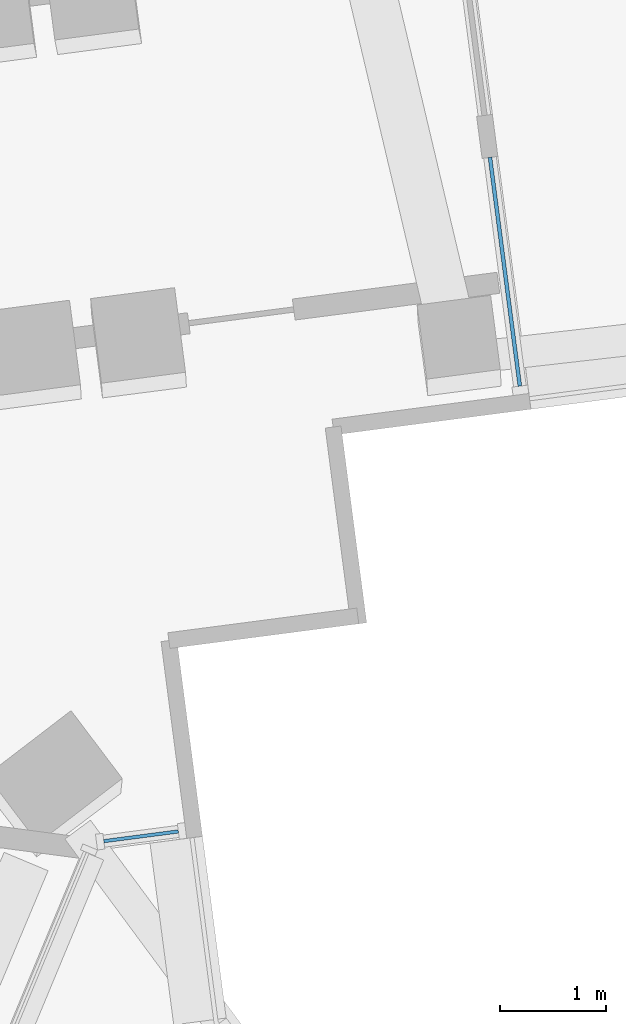
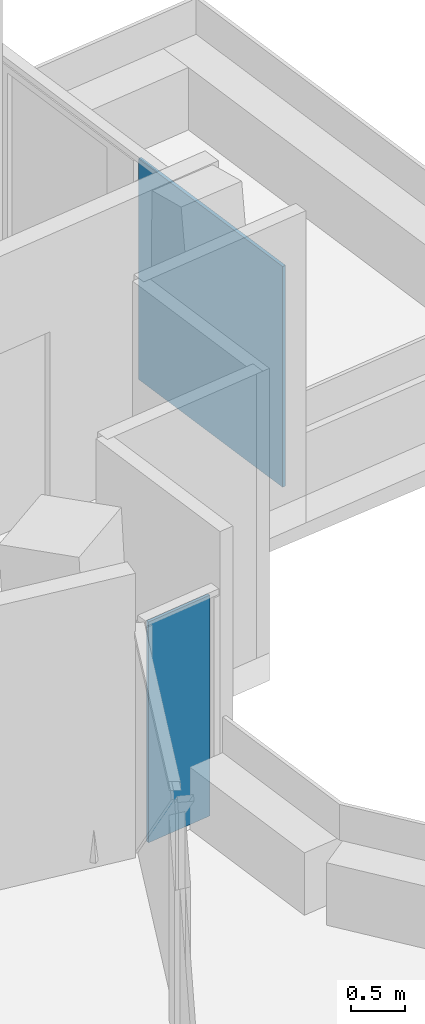
# One storey, part 14 of 25: 2 plates, 2 elements without a shape of their own.
"""IFC4 building model written with IfcOpenShell, lengths in metres."""

import ifcopenshell
import ifcopenshell.guid

model = None  # the IFC model being written
_history = None  # IfcOwnerHistory: only IFC2X3 demands one
_inside = {}  # id of a spatial element -> (the spatial element, [elements in it])
_under = {}  # id of a project, library or spatial element -> (it, [spatial elements below it])
_declared = {}  # id of a project -> (the project, [libraries it declares])
_typed = {}  # id of a type object -> (the type object, [elements of that type])
_made_of = {}  # id of a material, layer set ... -> (it, [elements and type objects made of it])


def new_model(schema):
    """Start an empty IFC model of exactly this schema.

    Asked for "IFC4X3", IfcOpenShell would pick the latest addendum, in which some entities
    have other attributes; the version numbers below select the first issue.
    IFC2X3 requires an IfcOwnerHistory on every rooted entity: one is made here for all.
    """
    global model, _history
    if schema == "IFC4X3":
        model = ifcopenshell.file(schema_version=(4, 3, 0, 0))
    else:
        model = ifcopenshell.file(schema=schema)
    _inside.clear()
    _under.clear()
    _declared.clear()
    _typed.clear()
    _made_of.clear()
    _history = None
    if model.schema == "IFC2X3":
        org = make("IfcOrganization", Name="unknown")
        user = make(
            "IfcPersonAndOrganization",
            ThePerson=make("IfcPerson", FamilyName="unknown"),
            TheOrganization=org,
        )
        app = make(
            "IfcApplication",
            ApplicationDeveloper=org,
            Version="unknown",
            ApplicationFullName="unknown",
            ApplicationIdentifier="unknown",
        )
        _history = make(
            "IfcOwnerHistory",
            OwningUser=user,
            OwningApplication=app,
            ChangeAction="ADDED",
            CreationDate=0,
        )
    return model


def make(cls, **values):
    """One entity of the class cls with the attributes given. An attribute that is None is left unset."""
    return model.create_entity(
        cls, **{name: value for name, value in values.items() if value is not None}
    )


def rooted(cls, **values):
    """An entity with a GlobalId (a new one), such as an element, a storey or a relation."""
    return make(cls, GlobalId=ifcopenshell.guid.new(), OwnerHistory=_history, **values)


def si_unit(unit_type, name, prefix=None):
    """IfcSIUnit, for example si_unit("LENGTHUNIT", "METRE", prefix="MILLI")."""
    return make("IfcSIUnit", UnitType=unit_type, Prefix=prefix, Name=name)


def assignment(units):
    """IfcUnitAssignment: the units of a project."""
    return None if units is None else make("IfcUnitAssignment", Units=units)


def point(xyz):
    """IfcCartesianPoint."""
    return None if xyz is None else make("IfcCartesianPoint", Coordinates=xyz)


def direction(xyz):
    """IfcDirection."""
    return None if xyz is None else make("IfcDirection", DirectionRatios=xyz)


def frame(location, z_axis=None, x_axis=None):
    """IfcAxis2Placement3D, a coordinate frame: its origin and axes. An axis left out is left unset."""
    return make(
        "IfcAxis2Placement3D",
        Location=point(location),
        Axis=direction(z_axis),
        RefDirection=direction(x_axis),
    )


def frame_2d(location, x_axis=None):
    """IfcAxis2Placement2D, a coordinate frame in the plane: its origin and x axis."""
    return make(
        "IfcAxis2Placement2D", Location=point(location), RefDirection=direction(x_axis)
    )


def origin():
    """The frame at (0, 0, 0) with its axes left unset."""
    return frame((0.0, 0.0, 0.0))


def origin_2d():
    """The frame at (0, 0) in the plane with its x axis left unset."""
    return frame_2d((0.0, 0.0))


def place(relative_to, where):
    """IfcLocalPlacement: puts the frame where relative to a parent placement (None: the world)."""
    return make(
        "IfcLocalPlacement", PlacementRelTo=relative_to, RelativePlacement=where
    )


def context(
    kind, dimensions, precision=None, world=None, true_north=None, identifier=None
):
    """IfcGeometricRepresentationContext, for example the 3D "Model" context."""
    return make(
        "IfcGeometricRepresentationContext",
        ContextIdentifier=identifier,
        ContextType=kind,
        CoordinateSpaceDimension=dimensions,
        Precision=precision,
        WorldCoordinateSystem=world,
        TrueNorth=true_north,
    )


def subcontext(parent, identifier, kind, view, scale=None):
    """IfcGeometricRepresentationSubContext, for example "Body" below "Model"."""
    return make(
        "IfcGeometricRepresentationSubContext",
        ContextIdentifier=identifier,
        ContextType=kind,
        ParentContext=parent,
        TargetScale=scale,
        TargetView=view,
    )


def project(units=None, contexts=None):
    """IfcProject with its units and contexts."""
    return rooted(
        "IfcProject",
        Name="project",
        RepresentationContexts=contexts,
        UnitsInContext=assignment(units),
    )


def spatial(cls, under=None, at=None, **own):
    """A site, building, storey or space (cls), placed at a placement, below another one or the project."""
    s = rooted(cls, ObjectPlacement=at, **own)
    if under is not None:
        _under.setdefault(under.id(), (under, []))[1].append(s)
    return s


def profile(cls, at=None, kind="AREA", **sizes):
    """A parametric profile (cls). Its sizes go by their IFC names, for example OverallWidth=200.0."""
    return make(cls, ProfileType=kind, Position=at, **sizes)


def rectangle(**sizes):
    """IfcRectangleProfileDef."""
    return profile("IfcRectangleProfileDef", **sizes)


def extrude(swept, where, along, depth):
    """IfcExtrudedAreaSolid: the profile swept, set in the frame where, extruded along a direction by depth."""
    return make(
        "IfcExtrudedAreaSolid",
        SweptArea=swept,
        Position=where,
        ExtrudedDirection=direction(along),
        Depth=depth,
    )


def shape(context_of_items, identifier, shape_type, items):
    """IfcShapeRepresentation: the items that make up one representation, for example the "Body"."""
    return make(
        "IfcShapeRepresentation",
        ContextOfItems=context_of_items,
        RepresentationIdentifier=identifier,
        RepresentationType=shape_type,
        Items=items,
    )


def material(Name=None, Category=None):
    """IfcMaterial."""
    return make("IfcMaterial", Name=Name, Category=Category)


def layer(
    of_material, thickness, ventilated=None, Name=None, Category=None, Priority=None
):
    """IfcMaterialLayer: one layer of a wall or slab, of a material (None: an air gap)."""
    return make(
        "IfcMaterialLayer",
        Material=of_material,
        LayerThickness=thickness,
        IsVentilated=ventilated,
        Name=Name,
        Category=Category,
        Priority=Priority,
    )


def layer_set(layers, Name=None):
    """IfcMaterialLayerSet."""
    return make("IfcMaterialLayerSet", MaterialLayers=layers, LayerSetName=Name)


def made_of(thing, what):
    """Note that an element or type object is made of a material, layer set ...; save() writes the relation."""
    if what is not None:
        _made_of.setdefault(what.id(), (what, []))[1].append(thing)
    return thing


def type_object(cls, material=None, **own):
    """A type object (cls), such as IfcWallType, which elements share."""
    return made_of(rooted(cls, **own), material)


def element(
    cls,
    number,
    at=None,
    inside=None,
    cuts=None,
    type_object=None,
    material=None,
    context=None,
    identifier="Body",
    shape_type=None,
    held_by="IfcProductDefinitionShape",
    body=None,
    shapes=None,
    **own,
):
    """One element of the class cls, such as IfcWall. Its Tag is "e" and its number.

    at: its placement. inside: the storey or other place that contains it. cuts: it is an
    opening in that element (IfcRelVoidsElement). A single representation is given by context,
    identifier, shape_type and body (its items); several are given by shapes. held_by: the class
    of the entity that holds the representations. save() writes the other relations.
    """
    e = rooted(cls, Tag="e%d" % number, ObjectPlacement=at, **own)
    if body is not None:
        shapes = [shape(context, identifier, shape_type, body)]
    if shapes is not None:
        e.Representation = make(held_by, Representations=shapes)
    if inside is not None:
        _inside.setdefault(inside.id(), (inside, []))[1].append(e)
    if cuts is not None:
        rooted(
            "IfcRelVoidsElement", RelatingBuildingElement=cuts, RelatedOpeningElement=e
        )
    if type_object is not None:
        _typed.setdefault(type_object.id(), (type_object, []))[1].append(e)
    return made_of(e, material)


def aggregate(whole, parts):
    """IfcRelAggregates: a whole, such as a stair, and the parts it consists of."""
    return rooted("IfcRelAggregates", RelatingObject=whole, RelatedObjects=parts)


def save(model, path):
    """Write the relations noted so far, then the file.

    IfcRelAggregates (storeys below a building ...), IfcRelContainedInSpatialStructure (elements
    in a storey), IfcRelDefinesByType, IfcRelAssociatesMaterial and IfcRelDeclares: one each for
    every whole, place, type object, material and project.
    """
    for whole, parts in _under.values():
        aggregate(whole, parts)
    for where, things in _inside.values():
        rooted(
            "IfcRelContainedInSpatialStructure",
            RelatedElements=things,
            RelatingStructure=where,
        )
    for kind, things in _typed.values():
        rooted("IfcRelDefinesByType", RelatedObjects=things, RelatingType=kind)
    for what, things in _made_of.values():
        rooted("IfcRelAssociatesMaterial", RelatedObjects=things, RelatingMaterial=what)
    for by, libraries in _declared.values():
        rooted("IfcRelDeclares", RelatingContext=by, RelatedDefinitions=libraries)
    model.write(path)


model = new_model("IFC4")

# Units and contexts
model_context = context("Model", 3, precision=1e-05, world=origin(), true_north=direction((0.0, 1.0)))
body_context = subcontext(model_context, "Body", "Model", "MODEL_VIEW")
ifc_project = project(units=[si_unit("LENGTHUNIT", "METRE"), si_unit("AREAUNIT", "SQUARE_METRE"), si_unit("VOLUMEUNIT", "CUBIC_METRE"), si_unit("PLANEANGLEUNIT", "RADIAN"), si_unit("MASSUNIT", "GRAM", prefix="KILO")], contexts=[model_context])

# Site, building, storey
site_placement = place(None, origin())
site = spatial("IfcSite", under=ifc_project, at=site_placement, CompositionType="ELEMENT")
building_placement = place(site_placement, origin())
building = spatial("IfcBuilding", under=site, at=building_placement, Name="Verdalira Terraces Hotel", CompositionType="ELEMENT")
storey_placement = place(building_placement, frame((0.0, 0.0, 187.0)))
storey = spatial("IfcBuildingStorey", under=building, at=storey_placement, Name="L45", CompositionType="ELEMENT", Elevation=187.0)

# Curtain wall, plate
ifc_material_1 = material(Name="Clear glass", Category="glass")
ifc_layer_1 = layer(ifc_material_1, 0.14990234375)
ifc_layer_set_1 = layer_set([ifc_layer_1], Name="CW2 curtain wall")
curtain_wall_type_1 = type_object("IfcCurtainWallType", Name="CW2 curtain wall", PredefinedType="NOTDEFINED", material=ifc_layer_set_1)
curtain_wall_1_placement = place(storey_placement, origin())
curtain_wall_1 = element("IfcCurtainWall", 1, at=curtain_wall_1_placement, inside=storey, type_object=curtain_wall_type_1, Name="CW2 curtain wall L45 edge 28", PredefinedType="NOTDEFINED")
ifc_material_2 = material(Name="Clear glass", Category="glass")
ifc_layer_2 = layer(ifc_material_2, 0.031982421875)
ifc_layer_set_2 = layer_set([ifc_layer_2], Name="CW2 glass unit 32")
plate_type_1 = type_object("IfcPlateType", Name="CW2 glass unit 32", PredefinedType="CURTAIN_PANEL", material=ifc_layer_set_2)
plate_1_placement = place(storey_placement, frame((25.307373, -3.174805, 0.0), z_axis=(0.0, 0.0, 1.0), x_axis=(0.991581004, 0.129487882, 0.0)))
plate_1 = element("IfcPlate", 2, at=plate_1_placement, type_object=plate_type_1, Name="CW2 glass unit", PredefinedType="CURTAIN_PANEL", context=body_context, shape_type="SweptSolid", body=[
    extrude(rectangle(XDim=0.709961, YDim=0.031982, at=origin_2d()), origin(), (0.0, 0.0, 1.0), 2.475098),
])
aggregate(curtain_wall_1, [plate_1])

ifc_material_3 = material(Name="Clear glass", Category="glass")
ifc_layer_3 = layer(ifc_material_3, 0.14990234375)
ifc_layer_set_3 = layer_set([ifc_layer_3], Name="CW3 curtain wall")
curtain_wall_type_2 = type_object("IfcCurtainWallType", Name="CW3 curtain wall", PredefinedType="NOTDEFINED", material=ifc_layer_set_3)
curtain_wall_2_placement = place(storey_placement, origin())
curtain_wall_2 = element("IfcCurtainWall", 3, at=curtain_wall_2_placement, inside=storey, type_object=curtain_wall_type_2, Name="CW3 curtain wall L45 edge 33", PredefinedType="NOTDEFINED")
ifc_material_4 = material(Name="Clear glass", Category="glass")
ifc_layer_4 = layer(ifc_material_4, 0.035888671875)
ifc_layer_set_4 = layer_set([ifc_layer_4], Name="CW3 glass unit 36")
plate_type_2 = type_object("IfcPlateType", Name="CW3 glass unit 36", PredefinedType="CURTAIN_PANEL", material=ifc_layer_set_4)
plate_2_placement = place(storey_placement, frame((28.745605, 2.1604, 0.0), z_axis=(0.0, 0.0, 1.0), x_axis=(-0.129487882, 0.991581004, 0.0)))
plate_2 = element("IfcPlate", 4, at=plate_2_placement, type_object=plate_type_2, Name="CW3 glass unit", PredefinedType="CURTAIN_PANEL", context=body_context, shape_type="SweptSolid", body=[
    extrude(rectangle(XDim=2.179932, YDim=0.035889, at=origin_2d()), origin(), (0.0, 0.0, 1.0), 2.475098),
])
aggregate(curtain_wall_2, [plate_2])

save(model, "model.ifc")
